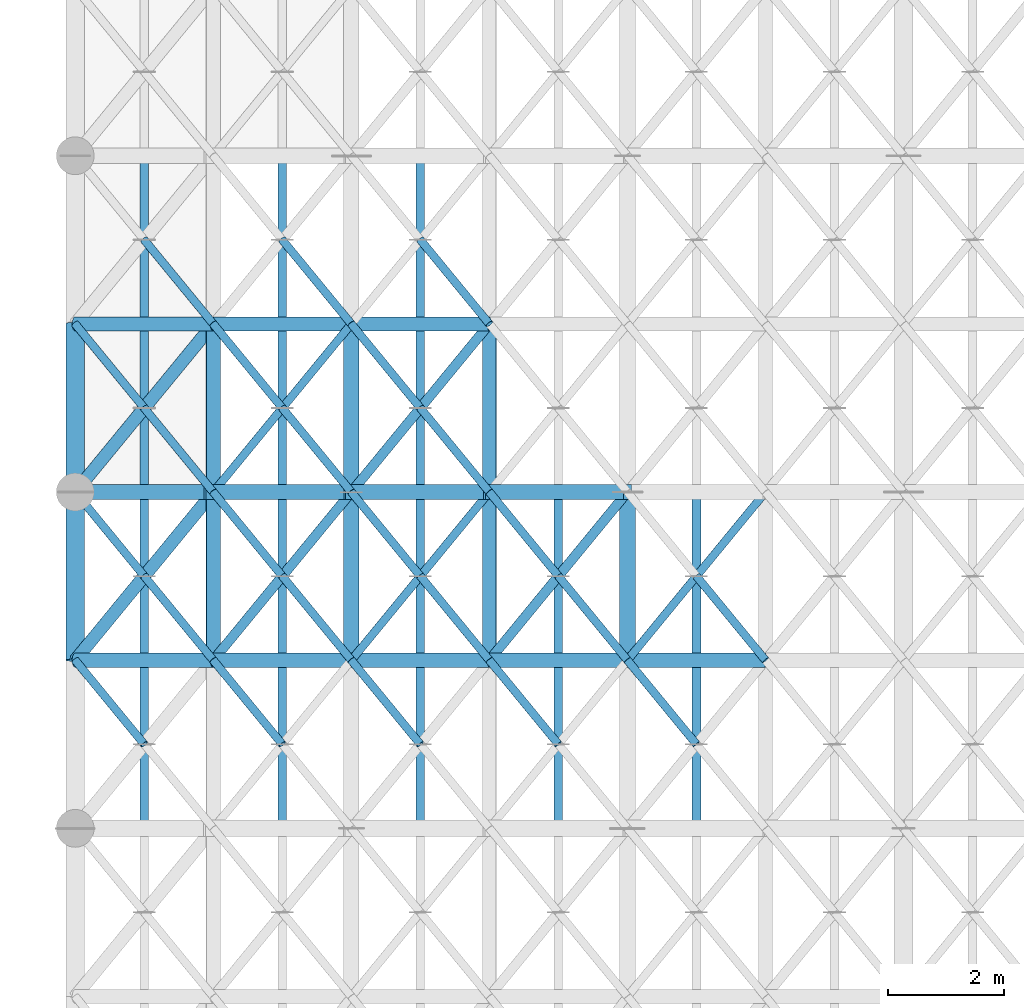
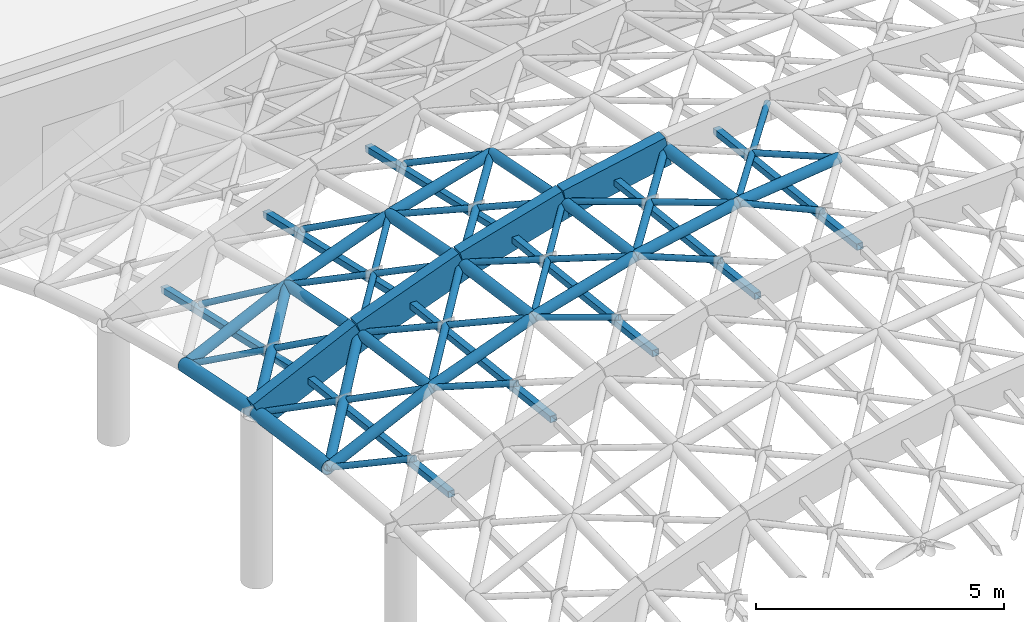
# One storey, part 68 of 146: 56 members, 4 beams.
"""IFC4 building model written with IfcOpenShell, lengths in metres."""

import ifcopenshell
import ifcopenshell.guid

model = None  # the IFC model being written
_history = None  # IfcOwnerHistory: only IFC2X3 demands one
_inside = {}  # id of a spatial element -> (the spatial element, [elements in it])
_under = {}  # id of a project, library or spatial element -> (it, [spatial elements below it])
_declared = {}  # id of a project -> (the project, [libraries it declares])
_typed = {}  # id of a type object -> (the type object, [elements of that type])
_made_of = {}  # id of a material, layer set ... -> (it, [elements and type objects made of it])


def new_model(schema):
    """Start an empty IFC model of exactly this schema.

    Asked for "IFC4X3", IfcOpenShell would pick the latest addendum, in which some entities
    have other attributes; the version numbers below select the first issue.
    IFC2X3 requires an IfcOwnerHistory on every rooted entity: one is made here for all.
    """
    global model, _history
    if schema == "IFC4X3":
        model = ifcopenshell.file(schema_version=(4, 3, 0, 0))
    else:
        model = ifcopenshell.file(schema=schema)
    _inside.clear()
    _under.clear()
    _declared.clear()
    _typed.clear()
    _made_of.clear()
    _history = None
    if model.schema == "IFC2X3":
        org = make("IfcOrganization", Name="unknown")
        user = make(
            "IfcPersonAndOrganization",
            ThePerson=make("IfcPerson", FamilyName="unknown"),
            TheOrganization=org,
        )
        app = make(
            "IfcApplication",
            ApplicationDeveloper=org,
            Version="unknown",
            ApplicationFullName="unknown",
            ApplicationIdentifier="unknown",
        )
        _history = make(
            "IfcOwnerHistory",
            OwningUser=user,
            OwningApplication=app,
            ChangeAction="ADDED",
            CreationDate=0,
        )
    return model


def make(cls, **values):
    """One entity of the class cls with the attributes given. An attribute that is None is left unset."""
    return model.create_entity(
        cls, **{name: value for name, value in values.items() if value is not None}
    )


def rooted(cls, **values):
    """An entity with a GlobalId (a new one), such as an element, a storey or a relation."""
    return make(cls, GlobalId=ifcopenshell.guid.new(), OwnerHistory=_history, **values)


def si_unit(unit_type, name, prefix=None):
    """IfcSIUnit, for example si_unit("LENGTHUNIT", "METRE", prefix="MILLI")."""
    return make("IfcSIUnit", UnitType=unit_type, Prefix=prefix, Name=name)


def assignment(units):
    """IfcUnitAssignment: the units of a project."""
    return None if units is None else make("IfcUnitAssignment", Units=units)


def point(xyz):
    """IfcCartesianPoint."""
    return None if xyz is None else make("IfcCartesianPoint", Coordinates=xyz)


def direction(xyz):
    """IfcDirection."""
    return None if xyz is None else make("IfcDirection", DirectionRatios=xyz)


def frame(location, z_axis=None, x_axis=None):
    """IfcAxis2Placement3D, a coordinate frame: its origin and axes. An axis left out is left unset."""
    return make(
        "IfcAxis2Placement3D",
        Location=point(location),
        Axis=direction(z_axis),
        RefDirection=direction(x_axis),
    )


def frame_2d(location, x_axis=None):
    """IfcAxis2Placement2D, a coordinate frame in the plane: its origin and x axis."""
    return make(
        "IfcAxis2Placement2D", Location=point(location), RefDirection=direction(x_axis)
    )


def origin():
    """The frame at (0, 0, 0) with its axes left unset."""
    return frame((0.0, 0.0, 0.0))


def origin_2d():
    """The frame at (0, 0) in the plane with its x axis left unset."""
    return frame_2d((0.0, 0.0))


def place(relative_to, where):
    """IfcLocalPlacement: puts the frame where relative to a parent placement (None: the world)."""
    return make(
        "IfcLocalPlacement", PlacementRelTo=relative_to, RelativePlacement=where
    )


def context(
    kind, dimensions, precision=None, world=None, true_north=None, identifier=None
):
    """IfcGeometricRepresentationContext, for example the 3D "Model" context."""
    return make(
        "IfcGeometricRepresentationContext",
        ContextIdentifier=identifier,
        ContextType=kind,
        CoordinateSpaceDimension=dimensions,
        Precision=precision,
        WorldCoordinateSystem=world,
        TrueNorth=true_north,
    )


def subcontext(parent, identifier, kind, view, scale=None):
    """IfcGeometricRepresentationSubContext, for example "Body" below "Model"."""
    return make(
        "IfcGeometricRepresentationSubContext",
        ContextIdentifier=identifier,
        ContextType=kind,
        ParentContext=parent,
        TargetScale=scale,
        TargetView=view,
    )


def project(units=None, contexts=None):
    """IfcProject with its units and contexts."""
    return rooted(
        "IfcProject",
        Name="project",
        RepresentationContexts=contexts,
        UnitsInContext=assignment(units),
    )


def spatial(cls, under=None, at=None, **own):
    """A site, building, storey or space (cls), placed at a placement, below another one or the project."""
    s = rooted(cls, ObjectPlacement=at, **own)
    if under is not None:
        _under.setdefault(under.id(), (under, []))[1].append(s)
    return s


def profile(cls, at=None, kind="AREA", **sizes):
    """A parametric profile (cls). Its sizes go by their IFC names, for example OverallWidth=200.0."""
    return make(cls, ProfileType=kind, Position=at, **sizes)


def rectangle(**sizes):
    """IfcRectangleProfileDef."""
    return profile("IfcRectangleProfileDef", **sizes)


def hollow_rectangle(**sizes):
    """IfcRectangleHollowProfileDef."""
    return profile("IfcRectangleHollowProfileDef", **sizes)


def hollow_circle(**sizes):
    """IfcCircleHollowProfileDef."""
    return profile("IfcCircleHollowProfileDef", **sizes)


def extrude(swept, where, along, depth):
    """IfcExtrudedAreaSolid: the profile swept, set in the frame where, extruded along a direction by depth."""
    return make(
        "IfcExtrudedAreaSolid",
        SweptArea=swept,
        Position=where,
        ExtrudedDirection=direction(along),
        Depth=depth,
    )


def shape(context_of_items, identifier, shape_type, items):
    """IfcShapeRepresentation: the items that make up one representation, for example the "Body"."""
    return make(
        "IfcShapeRepresentation",
        ContextOfItems=context_of_items,
        RepresentationIdentifier=identifier,
        RepresentationType=shape_type,
        Items=items,
    )


def material(Name=None, Category=None):
    """IfcMaterial."""
    return make("IfcMaterial", Name=Name, Category=Category)


def material_profile(
    of_material, cross_section, Name=None, Category=None, Priority=None
):
    """IfcMaterialProfile: a cross section and its material."""
    return make(
        "IfcMaterialProfile",
        Name=Name,
        Material=of_material,
        Profile=cross_section,
        Priority=Priority,
        Category=Category,
    )


def profile_set(profiles, Name=None, composite=None):
    """IfcMaterialProfileSet."""
    return make(
        "IfcMaterialProfileSet",
        Name=Name,
        MaterialProfiles=profiles,
        CompositeProfile=composite,
    )


def made_of(thing, what):
    """Note that an element or type object is made of a material, layer set ...; save() writes the relation."""
    if what is not None:
        _made_of.setdefault(what.id(), (what, []))[1].append(thing)
    return thing


def type_object(cls, material=None, **own):
    """A type object (cls), such as IfcWallType, which elements share."""
    return made_of(rooted(cls, **own), material)


def element(
    cls,
    number,
    at=None,
    inside=None,
    cuts=None,
    type_object=None,
    material=None,
    context=None,
    identifier="Body",
    shape_type=None,
    held_by="IfcProductDefinitionShape",
    body=None,
    shapes=None,
    **own,
):
    """One element of the class cls, such as IfcWall. Its Tag is "e" and its number.

    at: its placement. inside: the storey or other place that contains it. cuts: it is an
    opening in that element (IfcRelVoidsElement). A single representation is given by context,
    identifier, shape_type and body (its items); several are given by shapes. held_by: the class
    of the entity that holds the representations. save() writes the other relations.
    """
    e = rooted(cls, Tag="e%d" % number, ObjectPlacement=at, **own)
    if body is not None:
        shapes = [shape(context, identifier, shape_type, body)]
    if shapes is not None:
        e.Representation = make(held_by, Representations=shapes)
    if inside is not None:
        _inside.setdefault(inside.id(), (inside, []))[1].append(e)
    if cuts is not None:
        rooted(
            "IfcRelVoidsElement", RelatingBuildingElement=cuts, RelatedOpeningElement=e
        )
    if type_object is not None:
        _typed.setdefault(type_object.id(), (type_object, []))[1].append(e)
    return made_of(e, material)


def aggregate(whole, parts):
    """IfcRelAggregates: a whole, such as a stair, and the parts it consists of."""
    return rooted("IfcRelAggregates", RelatingObject=whole, RelatedObjects=parts)


def save(model, path):
    """Write the relations noted so far, then the file.

    IfcRelAggregates (storeys below a building ...), IfcRelContainedInSpatialStructure (elements
    in a storey), IfcRelDefinesByType, IfcRelAssociatesMaterial and IfcRelDeclares: one each for
    every whole, place, type object, material and project.
    """
    for whole, parts in _under.values():
        aggregate(whole, parts)
    for where, things in _inside.values():
        rooted(
            "IfcRelContainedInSpatialStructure",
            RelatedElements=things,
            RelatingStructure=where,
        )
    for kind, things in _typed.values():
        rooted("IfcRelDefinesByType", RelatedObjects=things, RelatingType=kind)
    for what, things in _made_of.values():
        rooted("IfcRelAssociatesMaterial", RelatedObjects=things, RelatingMaterial=what)
    for by, libraries in _declared.values():
        rooted("IfcRelDeclares", RelatingContext=by, RelatedDefinitions=libraries)
    model.write(path)


model = new_model("IFC4")

# Units and contexts
model_context = context("Model", 3, precision=1e-05, world=origin(), true_north=direction((0.0, 1.0)))
body_context = subcontext(model_context, "Body", "Model", "MODEL_VIEW")
ifc_project = project(units=[si_unit("LENGTHUNIT", "METRE"), si_unit("AREAUNIT", "SQUARE_METRE"), si_unit("VOLUMEUNIT", "CUBIC_METRE"), si_unit("PLANEANGLEUNIT", "RADIAN"), si_unit("MASSUNIT", "GRAM", prefix="KILO")], contexts=[model_context])

# Site, building, storey
site_placement = place(None, origin())
site = spatial("IfcSite", under=ifc_project, at=site_placement, CompositionType="ELEMENT")
building_placement = place(site_placement, origin())
building = spatial("IfcBuilding", under=site, at=building_placement, Name="Valcora Specialist Clinic", CompositionType="ELEMENT")
storey_placement = place(building_placement, frame((0.0, 0.0, 9.52001953125)))
storey = spatial("IfcBuildingStorey", under=building, at=storey_placement, Name="L02", CompositionType="ELEMENT", Elevation=9.52001953125)

# Beams
ifc_material_1 = material(Name="Glulam Conifer Class 24F", Category="wood")
ifc_material_profile_1 = material_profile(ifc_material_1, rectangle(XDim=0.260009765625, YDim=0.719970703125, at=origin_2d()), Name="GL-ARC-260X720")
ifc_profile_set_1 = profile_set([ifc_material_profile_1], Name="Glulam Conifer Class 24F")
beam_type = type_object("IfcBeamType", Name="TY-AR-GL720", PredefinedType="JOIST", material=ifc_profile_set_1)
beam_1_placement = place(storey_placement, frame((0.75, 67.678955078125, 4.11279296875), z_axis=(0.902225234529, 0.0, 0.431265146028), x_axis=(0.0, 1.0, 0.0)))
element("IfcBeam", 1, at=beam_1_placement, inside=storey, type_object=beam_type, Name="Gridshell glulam arch chord BM-GSA-061", PredefinedType="JOIST", context=body_context, shape_type="SweptSolid", body=[
    extrude(rectangle(XDim=0.260009765625, YDim=0.719970703125, at=origin_2d()), origin(), (0.0, 0.0, 1.0), 2.63232421875),
])
beam_2_placement = place(storey_placement, frame((3.125, 67.678955078125, 5.248046875), z_axis=(0.935663448479, 0.0, 0.352893625871), x_axis=(0.0, 1.0, 0.0)))
element("IfcBeam", 2, at=beam_2_placement, inside=storey, type_object=beam_type, Name="Gridshell glulam arch chord BM-GSA-062", PredefinedType="JOIST", context=body_context, shape_type="SweptSolid", body=[
    extrude(rectangle(XDim=0.260009765625, YDim=0.719970703125, at=origin_2d()), origin(), (0.0, 0.0, 1.0), 2.538330078125),
])
beam_3_placement = place(storey_placement, frame((5.5, 67.678955078125, 6.143798828125), z_axis=(0.961639501517, 0.0, 0.274316366849), x_axis=(0.0, 1.0, 0.0)))
element("IfcBeam", 3, at=beam_3_placement, inside=storey, type_object=beam_type, Name="Gridshell glulam arch chord BM-GSA-063", PredefinedType="JOIST", context=body_context, shape_type="SweptSolid", body=[
    extrude(rectangle(XDim=0.260009765625, YDim=0.719970703125, at=origin_2d()), origin(), (0.0, 0.0, 1.0), 2.4697265625),
])
beam_4_placement = place(storey_placement, frame((7.875, 67.678955078125, 6.8212890625), z_axis=(0.980592304853, 0.0, 0.19605798036), x_axis=(0.0, 1.0, 0.0)))
element("IfcBeam", 4, at=beam_4_placement, inside=storey, type_object=beam_type, Name="Gridshell glulam arch chord BM-GSA-064", PredefinedType="JOIST", context=body_context, shape_type="SweptSolid", body=[
    extrude(rectangle(XDim=0.260009765625, YDim=0.719970703125, at=origin_2d()), origin(), (0.0, 0.0, 1.0), 2.422119140625),
])

# Members
ifc_material_2 = material(Name="Steel ASTM A500 Grade C", Category="steel")
ifc_material_profile_2 = material_profile(ifc_material_2, hollow_circle(Radius=0.1220703125, WallThickness=0.010009765625, at=origin_2d()), Name="ST-CHS-244X10")
ifc_profile_set_2 = profile_set([ifc_material_profile_2], Name="Steel ASTM A500 Grade C")
member_type_1 = type_object("IfcMemberType", Name="TY-MB-GSC244", PredefinedType="CHORD", material=ifc_profile_set_2)
member_1_placement = place(storey_placement, frame((3.125, 64.785888671875, 5.654541015625), z_axis=(0.0, 0.990272777431, -0.139139592778), x_axis=(-1.0, 0.0, 0.0)))
element("IfcMember", 5, at=member_1_placement, inside=storey, type_object=member_type_1, Name="Gridshell longitudinal chord MB-L02-0024", PredefinedType="CHORD", context=body_context, shape_type="SweptSolid", body=[
    extrude(hollow_circle(Radius=0.1220703125, WallThickness=0.010009765625, at=origin_2d()), origin(), (0.0, 0.0, 1.0), 2.92138671875),
])
member_2_placement = place(storey_placement, frame((3.125, 67.678955078125, 5.248046875), z_axis=(0.0, 0.980837778433, -0.194826210759), x_axis=(-1.0, 0.0, 0.0)))
element("IfcMember", 6, at=member_2_placement, inside=storey, type_object=member_type_1, Name="Gridshell longitudinal chord MB-L02-0025", PredefinedType="CHORD", context=body_context, shape_type="SweptSolid", body=[
    extrude(hollow_circle(Radius=0.1220703125, WallThickness=0.010009765625, at=origin_2d()), origin(), (0.0, 0.0, 1.0), 2.948486328125),
])
member_3_placement = place(storey_placement, frame((7.875, 64.785888671875, 7.227783203125), z_axis=(0.0, 0.990272777431, -0.139139592778), x_axis=(-1.0, 0.0, 0.0)))
element("IfcMember", 7, at=member_3_placement, inside=storey, type_object=member_type_1, Name="Gridshell longitudinal chord MB-L02-0052", PredefinedType="CHORD", context=body_context, shape_type="SweptSolid", body=[
    extrude(hollow_circle(Radius=0.1220703125, WallThickness=0.010009765625, at=origin_2d()), origin(), (0.0, 0.0, 1.0), 2.92138671875),
])
member_4_placement = place(storey_placement, frame((7.875, 67.678955078125, 6.8212890625), z_axis=(0.0, 0.980853597768, -0.194746552587), x_axis=(-1.0, 0.0, 0.0)))
element("IfcMember", 8, at=member_4_placement, inside=storey, type_object=member_type_1, Name="Gridshell longitudinal chord MB-L02-0053", PredefinedType="CHORD", context=body_context, shape_type="SweptSolid", body=[
    extrude(hollow_circle(Radius=0.1220703125, WallThickness=0.010009765625, at=origin_2d()), origin(), (0.0, 0.0, 1.0), 2.948486328125),
])
member_5_placement = place(storey_placement, frame((0.75, 64.785888671875, 4.519287109375), z_axis=(0.902225234529, 0.0, 0.431265146028), x_axis=(0.0, 1.0, 0.0)))
element("IfcMember", 9, at=member_5_placement, inside=storey, type_object=member_type_1, Name="Gridshell secondary transverse chord MB-L02-0315", PredefinedType="CHORD", context=body_context, shape_type="SweptSolid", body=[
    extrude(hollow_circle(Radius=0.1220703125, WallThickness=0.010009765625, at=origin_2d()), origin(), (0.0, 0.0, 1.0), 2.63232421875),
])
member_6_placement = place(storey_placement, frame((3.125, 64.785888671875, 5.654541015625), z_axis=(0.935695204238, 0.0, 0.352809417059), x_axis=(0.0, 1.0, 0.0)))
element("IfcMember", 10, at=member_6_placement, inside=storey, type_object=member_type_1, Name="Gridshell secondary transverse chord MB-L02-0316", PredefinedType="CHORD", context=body_context, shape_type="SweptSolid", body=[
    extrude(hollow_circle(Radius=0.1220703125, WallThickness=0.010009765625, at=origin_2d()), origin(), (0.0, 0.0, 1.0), 2.538330078125),
])
member_7_placement = place(storey_placement, frame((5.5, 64.785888671875, 6.550048828125), z_axis=(0.961613421173, 0.0, 0.274407777259), x_axis=(0.0, 1.0, 0.0)))
element("IfcMember", 11, at=member_7_placement, inside=storey, type_object=member_type_1, Name="Gridshell secondary transverse chord MB-L02-0317", PredefinedType="CHORD", context=body_context, shape_type="SweptSolid", body=[
    extrude(hollow_circle(Radius=0.1220703125, WallThickness=0.010009765625, at=origin_2d()), origin(), (0.0, 0.0, 1.0), 2.4697265625),
])
member_8_placement = place(storey_placement, frame((7.875, 64.785888671875, 7.227783203125), z_axis=(0.980592304853, 0.0, 0.19605798036), x_axis=(0.0, 1.0, 0.0)))
element("IfcMember", 12, at=member_8_placement, inside=storey, type_object=member_type_1, Name="Gridshell secondary transverse chord MB-L02-0318", PredefinedType="CHORD", context=body_context, shape_type="SweptSolid", body=[
    extrude(hollow_circle(Radius=0.1220703125, WallThickness=0.010009765625, at=origin_2d()), origin(), (0.0, 0.0, 1.0), 2.422119140625),
])
member_9_placement = place(storey_placement, frame((10.25, 64.785888671875, 7.70263671875), z_axis=(0.993061123194, 0.0, 0.117599343536), x_axis=(0.0, 1.0, 0.0)))
element("IfcMember", 13, at=member_9_placement, inside=storey, type_object=member_type_1, Name="Gridshell secondary transverse chord MB-L02-0319", PredefinedType="CHORD", context=body_context, shape_type="SweptSolid", body=[
    extrude(hollow_circle(Radius=0.1220703125, WallThickness=0.010009765625, at=origin_2d()), origin(), (0.0, 0.0, 1.0), 2.3916015625),
])
member_10_placement = place(storey_placement, frame((0.75, 70.571044921875, 3.538330078125), z_axis=(0.902225234529, 0.0, 0.431265146028), x_axis=(0.0, 1.0, 0.0)))
element("IfcMember", 14, at=member_10_placement, inside=storey, type_object=member_type_1, Name="Gridshell secondary transverse chord MB-L02-0327", PredefinedType="CHORD", context=body_context, shape_type="SweptSolid", body=[
    extrude(hollow_circle(Radius=0.1220703125, WallThickness=0.010009765625, at=origin_2d()), origin(), (0.0, 0.0, 1.0), 2.63232421875),
])
member_11_placement = place(storey_placement, frame((3.125, 70.571044921875, 4.673583984375), z_axis=(0.935663448479, 0.0, 0.352893625871), x_axis=(0.0, 1.0, 0.0)))
element("IfcMember", 15, at=member_11_placement, inside=storey, type_object=member_type_1, Name="Gridshell secondary transverse chord MB-L02-0328", PredefinedType="CHORD", context=body_context, shape_type="SweptSolid", body=[
    extrude(hollow_circle(Radius=0.1220703125, WallThickness=0.010009765625, at=origin_2d()), origin(), (0.0, 0.0, 1.0), 2.538330078125),
])
member_12_placement = place(storey_placement, frame((5.5, 70.571044921875, 5.5693359375), z_axis=(0.961613421173, 0.0, 0.274407777259), x_axis=(0.0, 1.0, 0.0)))
element("IfcMember", 16, at=member_12_placement, inside=storey, type_object=member_type_1, Name="Gridshell secondary transverse chord MB-L02-0329", PredefinedType="CHORD", context=body_context, shape_type="SweptSolid", body=[
    extrude(hollow_circle(Radius=0.1220703125, WallThickness=0.010009765625, at=origin_2d()), origin(), (0.0, 0.0, 1.0), 2.4697265625),
])
ifc_material_profile_3 = material_profile(ifc_material_2, hollow_circle(Radius=0.136474609375, WallThickness=0.011962890625, at=origin_2d()), Name="ST-CHS-273X12")
ifc_profile_set_3 = profile_set([ifc_material_profile_3], Name="Steel ASTM A500 Grade C")
member_type_2 = type_object("IfcMemberType", Name="TY-MB-GSC273", PredefinedType="CHORD", material=ifc_profile_set_3)
member_13_placement = place(storey_placement, frame((5.5, 64.785888671875, 6.550048828125), z_axis=(0.0, 0.990284288594, -0.139057641875), x_axis=(-1.0, 0.0, 0.0)))
element("IfcMember", 17, at=member_13_placement, inside=storey, type_object=member_type_2, Name="Gridshell longitudinal chord MB-L02-0038", PredefinedType="CHORD", context=body_context, shape_type="SweptSolid", body=[
    extrude(hollow_circle(Radius=0.136474609375, WallThickness=0.011962890625, at=origin_2d()), origin(), (0.0, 0.0, 1.0), 2.92138671875),
])
member_14_placement = place(storey_placement, frame((5.5, 67.678955078125, 6.143798828125), z_axis=(0.0, 0.980837778433, -0.194826210759), x_axis=(-1.0, 0.0, 0.0)))
element("IfcMember", 18, at=member_14_placement, inside=storey, type_object=member_type_2, Name="Gridshell longitudinal chord MB-L02-0039", PredefinedType="CHORD", context=body_context, shape_type="SweptSolid", body=[
    extrude(hollow_circle(Radius=0.136474609375, WallThickness=0.011962890625, at=origin_2d()), origin(), (0.0, 0.0, 1.0), 2.948486328125),
])
member_15_placement = place(storey_placement, frame((10.25, 64.785888671875, 7.70263671875), z_axis=(0.0, 0.990272777431, -0.139139592778), x_axis=(-1.0, 0.0, 0.0)))
element("IfcMember", 19, at=member_15_placement, inside=storey, type_object=member_type_2, Name="Gridshell longitudinal chord MB-L02-0066", PredefinedType="CHORD", context=body_context, shape_type="SweptSolid", body=[
    extrude(hollow_circle(Radius=0.136474609375, WallThickness=0.011962890625, at=origin_2d()), origin(), (0.0, 0.0, 1.0), 2.92138671875),
])
ifc_material_profile_4 = material_profile(ifc_material_2, hollow_circle(Radius=0.162109375, WallThickness=0.011962890625, at=origin_2d()), Name="ST-CHS-324X12")
ifc_profile_set_4 = profile_set([ifc_material_profile_4], Name="Steel ASTM A500 Grade C")
member_type_3 = type_object("IfcMemberType", Name="TY-MB-GSC324", PredefinedType="CHORD", material=ifc_profile_set_4)
member_16_placement = place(storey_placement, frame((0.75, 64.785888671875, 4.519287109375), z_axis=(0.0, 0.990272777431, -0.139139592778), x_axis=(-1.0, 0.0, 0.0)))
element("IfcMember", 20, at=member_16_placement, inside=storey, type_object=member_type_3, Name="Gridshell longitudinal chord MB-L02-0010", PredefinedType="CHORD", context=body_context, shape_type="SweptSolid", body=[
    extrude(hollow_circle(Radius=0.162109375, WallThickness=0.011962890625, at=origin_2d()), origin(), (0.0, 0.0, 1.0), 2.92138671875),
])
member_17_placement = place(storey_placement, frame((0.75, 67.678955078125, 4.11279296875), z_axis=(0.0, 0.980837778433, -0.194826210759), x_axis=(-1.0, 0.0, 0.0)))
element("IfcMember", 21, at=member_17_placement, inside=storey, type_object=member_type_3, Name="Gridshell longitudinal chord MB-L02-0011", PredefinedType="CHORD", context=body_context, shape_type="SweptSolid", body=[
    extrude(hollow_circle(Radius=0.162109375, WallThickness=0.011962890625, at=origin_2d()), origin(), (0.0, 0.0, 1.0), 2.948486328125),
])
ifc_material_profile_5 = material_profile(ifc_material_2, hollow_circle(Radius=0.070068359375, WallThickness=0.006103515625, at=origin_2d()), Name="ST-CHS-140X6")
ifc_profile_set_5 = profile_set([ifc_material_profile_5], Name="Steel ASTM A500 Grade C")
member_type_4 = type_object("IfcMemberType", Name="TY-MB-GSD140", PredefinedType="BRACE", material=ifc_profile_set_5)
member_18_placement = place(storey_placement, frame((3.125, 64.785888671875, 5.654541015625), z_axis=(-0.586675579436, 0.714649014835, -0.38090490951), x_axis=(-0.772915884105, -0.634508499626, 0.0)))
element("IfcMember", 22, at=member_18_placement, inside=storey, type_object=member_type_4, Name="Gridshell split counter diagrid A MB-L02-0370", PredefinedType="BRACE", context=body_context, shape_type="SweptSolid", body=[
    extrude(hollow_circle(Radius=0.070068359375, WallThickness=0.006103515625, at=origin_2d()), origin(), (0.0, 0.0, 1.0), 2.024169921875),
])
member_19_placement = place(storey_placement, frame((3.125, 67.678955078125, 5.248046875), z_axis=(-0.57723259486, 0.702908852664, -0.415597974342), x_axis=(-0.772810813765, -0.634636467694, 0.0)))
element("IfcMember", 23, at=member_19_placement, inside=storey, type_object=member_type_4, Name="Gridshell split counter diagrid A MB-L02-0372", PredefinedType="BRACE", context=body_context, shape_type="SweptSolid", body=[
    extrude(hollow_circle(Radius=0.070068359375, WallThickness=0.006103515625, at=origin_2d()), origin(), (0.0, 0.0, 1.0), 2.05712890625),
])
member_20_placement = place(storey_placement, frame((3.125, 70.571044921875, 4.673583984375), z_axis=(-0.566806726529, 0.690446104993, -0.449460021427), x_axis=(-0.772915884105, -0.634508499626, 0.0)))
element("IfcMember", 24, at=member_20_placement, inside=storey, type_object=member_type_4, Name="Gridshell split counter diagrid A MB-L02-0374", PredefinedType="BRACE", context=body_context, shape_type="SweptSolid", body=[
    extrude(hollow_circle(Radius=0.070068359375, WallThickness=0.006103515625, at=origin_2d()), origin(), (0.0, 0.0, 1.0), 2.094970703125),
])
member_21_placement = place(storey_placement, frame((5.5, 64.785888671875, 6.550048828125), z_axis=(-0.599299901354, 0.73002712079, -0.328481401524), x_axis=(-0.772915884105, -0.634508499626, 0.0)))
element("IfcMember", 25, at=member_21_placement, inside=storey, type_object=member_type_4, Name="Gridshell split counter diagrid A MB-L02-0398", PredefinedType="BRACE", context=body_context, shape_type="SweptSolid", body=[
    extrude(hollow_circle(Radius=0.070068359375, WallThickness=0.006103515625, at=origin_2d()), origin(), (0.0, 0.0, 1.0), 1.9814453125),
])
member_22_placement = place(storey_placement, frame((3.125, 67.678955078125, 5.248046875), z_axis=(0.632310428758, 0.769978344888, 0.085538705206), x_axis=(-0.772810813765, 0.634636467694, 0.0)))
element("IfcMember", 26, at=member_22_placement, inside=storey, type_object=member_type_4, Name="Gridshell primary diagrid MB-L02-0399", PredefinedType="BRACE", context=body_context, shape_type="SweptSolid", body=[
    extrude(hollow_circle(Radius=0.070068359375, WallThickness=0.006103515625, at=origin_2d()), origin(), (0.0, 0.0, 1.0), 3.756103515625),
])
member_23_placement = place(storey_placement, frame((5.5, 67.678955078125, 6.143798828125), z_axis=(-0.590687465393, 0.719293145049, -0.365657886163), x_axis=(-0.772810813765, -0.634636467694, 0.0)))
element("IfcMember", 27, at=member_23_placement, inside=storey, type_object=member_type_4, Name="Gridshell split counter diagrid A MB-L02-0400", PredefinedType="BRACE", context=body_context, shape_type="SweptSolid", body=[
    extrude(hollow_circle(Radius=0.070068359375, WallThickness=0.006103515625, at=origin_2d()), origin(), (0.0, 0.0, 1.0), 2.01025390625),
])
member_24_placement = place(storey_placement, frame((5.5, 70.571044921875, 5.5693359375), z_axis=(-0.580941027046, 0.707663566046, -0.402144004536), x_axis=(-0.772915884105, -0.634508499626, 0.0)))
element("IfcMember", 28, at=member_24_placement, inside=storey, type_object=member_type_4, Name="Gridshell split counter diagrid A MB-L02-0402", PredefinedType="BRACE", context=body_context, shape_type="SweptSolid", body=[
    extrude(hollow_circle(Radius=0.070068359375, WallThickness=0.006103515625, at=origin_2d()), origin(), (0.0, 0.0, 1.0), 2.044189453125),
])
member_25_placement = place(storey_placement, frame((5.5, 64.785888671875, 6.550048828125), z_axis=(0.632849076957, 0.770894486219, 0.072275423982), x_axis=(-0.772915884105, 0.634508499626, 0.0)))
element("IfcMember", 29, at=member_25_placement, inside=storey, type_object=member_type_4, Name="Gridshell primary diagrid MB-L02-0425", PredefinedType="BRACE", context=body_context, shape_type="SweptSolid", body=[
    extrude(hollow_circle(Radius=0.070068359375, WallThickness=0.006103515625, at=origin_2d()), origin(), (0.0, 0.0, 1.0), 3.7529296875),
])
member_26_placement = place(storey_placement, frame((7.875, 64.785888671875, 7.227783203125), z_axis=(-0.609465809075, 0.742410550734, -0.278169016477), x_axis=(-0.772915884105, -0.634508499626, 0.0)))
element("IfcMember", 30, at=member_26_placement, inside=storey, type_object=member_type_4, Name="Gridshell split counter diagrid A MB-L02-0426", PredefinedType="BRACE", context=body_context, shape_type="SweptSolid", body=[
    extrude(hollow_circle(Radius=0.070068359375, WallThickness=0.006103515625, at=origin_2d()), origin(), (0.0, 0.0, 1.0), 1.948486328125),
])
member_27_placement = place(storey_placement, frame((7.875, 67.678955078125, 6.8212890625), z_axis=(-0.601850593551, 0.732886732237, -0.317258413212), x_axis=(-0.772810813765, -0.634636467694, 0.0)))
element("IfcMember", 31, at=member_27_placement, inside=storey, type_object=member_type_4, Name="Gridshell split counter diagrid A MB-L02-0428", PredefinedType="BRACE", context=body_context, shape_type="SweptSolid", body=[
    extrude(hollow_circle(Radius=0.070068359375, WallThickness=0.006103515625, at=origin_2d()), origin(), (0.0, 0.0, 1.0), 1.97314453125),
])
member_28_placement = place(storey_placement, frame((7.875, 70.571044921875, 6.2470703125), z_axis=(-0.592922283717, 0.722258332859, -0.356070310596), x_axis=(-0.772915884105, -0.634508499626, 0.0)))
element("IfcMember", 32, at=member_28_placement, inside=storey, type_object=member_type_4, Name="Gridshell split counter diagrid A MB-L02-0430", PredefinedType="BRACE", context=body_context, shape_type="SweptSolid", body=[
    extrude(hollow_circle(Radius=0.070068359375, WallThickness=0.006103515625, at=origin_2d()), origin(), (0.0, 0.0, 1.0), 2.002685546875),
])
member_29_placement = place(storey_placement, frame((10.25, 64.785888671875, 7.70263671875), z_axis=(-0.617618322937, 0.752341398726, -0.229194299527), x_axis=(-0.772915884105, -0.634508499626, 0.0)))
element("IfcMember", 33, at=member_29_placement, inside=storey, type_object=member_type_4, Name="Gridshell split counter diagrid A MB-L02-0454", PredefinedType="BRACE", context=body_context, shape_type="SweptSolid", body=[
    extrude(hollow_circle(Radius=0.070068359375, WallThickness=0.006103515625, at=origin_2d()), origin(), (0.0, 0.0, 1.0), 1.922607421875),
])
member_30_placement = place(storey_placement, frame((10.25, 64.785888671875, 7.70263671875), z_axis=(0.634153600073, 0.772483569167, -0.033441693754), x_axis=(-0.772915884105, 0.634508499626, 0.0)))
element("IfcMember", 34, at=member_30_placement, inside=storey, type_object=member_type_4, Name="Gridshell primary diagrid MB-L02-0481", PredefinedType="BRACE", context=body_context, shape_type="SweptSolid", body=[
    extrude(hollow_circle(Radius=0.070068359375, WallThickness=0.006103515625, at=origin_2d()), origin(), (0.0, 0.0, 1.0), 3.7451171875),
])
member_31_placement = place(storey_placement, frame((12.625, 64.785888671875, 7.98388671875), z_axis=(-0.62405456245, 0.760181595912, -0.180775674032), x_axis=(-0.772915884105, -0.634508499626, 0.0)))
element("IfcMember", 35, at=member_31_placement, inside=storey, type_object=member_type_4, Name="Gridshell split counter diagrid A MB-L02-0482", PredefinedType="BRACE", context=body_context, shape_type="SweptSolid", body=[
    extrude(hollow_circle(Radius=0.070068359375, WallThickness=0.006103515625, at=origin_2d()), origin(), (0.0, 0.0, 1.0), 1.90283203125),
])
member_32_placement = place(storey_placement, frame((1.9375, 63.339599609375, 5.2080078125), z_axis=(-0.595520995032, 0.725301475035, -0.345387484989), x_axis=(-0.772863356881, -0.634572479384, 0.0)))
element("IfcMember", 36, at=member_32_placement, inside=storey, type_object=member_type_4, Name="Gridshell split counter diagrid B 9", PredefinedType="BRACE", context=body_context, shape_type="SweptSolid", body=[
    extrude(hollow_circle(Radius=0.070068359375, WallThickness=0.006103515625, at=origin_2d()), origin(), (0.0, 0.0, 1.0), 1.994140625),
])
member_33_placement = place(storey_placement, frame((1.9375, 66.232421875, 4.883544921875), z_axis=(-0.586702530765, 0.714681845144, -0.380801786518), x_axis=(-0.772915884105, -0.634508499626, 0.0)))
element("IfcMember", 37, at=member_33_placement, inside=storey, type_object=member_type_4, Name="Gridshell split counter diagrid B 10", PredefinedType="BRACE", context=body_context, shape_type="SweptSolid", body=[
    extrude(hollow_circle(Radius=0.070068359375, WallThickness=0.006103515625, at=origin_2d()), origin(), (0.0, 0.0, 1.0), 2.02392578125),
])
member_34_placement = place(storey_placement, frame((1.9375, 69.125, 4.39306640625), z_axis=(-0.577261062513, 0.702943518353, -0.415499790267), x_axis=(-0.772810813765, -0.634636467694, 0.0)))
element("IfcMember", 38, at=member_34_placement, inside=storey, type_object=member_type_4, Name="Gridshell split counter diagrid B 11", PredefinedType="BRACE", context=body_context, shape_type="SweptSolid", body=[
    extrude(hollow_circle(Radius=0.070068359375, WallThickness=0.006103515625, at=origin_2d()), origin(), (0.0, 0.0, 1.0), 2.05712890625),
])
member_35_placement = place(storey_placement, frame((4.3125, 63.339599609375, 6.223388671875), z_axis=(-0.607141255778, 0.739454111684, -0.290838636095), x_axis=(-0.772863356881, -0.634572479384, 0.0)))
element("IfcMember", 39, at=member_35_placement, inside=storey, type_object=member_type_4, Name="Gridshell split counter diagrid B 23", PredefinedType="BRACE", context=body_context, shape_type="SweptSolid", body=[
    extrude(hollow_circle(Radius=0.070068359375, WallThickness=0.006103515625, at=origin_2d()), origin(), (0.0, 0.0, 1.0), 1.955810546875),
])
member_36_placement = place(storey_placement, frame((4.3125, 66.232421875, 5.899169921875), z_axis=(-0.599275643035, 0.729997570926, -0.328591311673), x_axis=(-0.772915884105, -0.634508499626, 0.0)))
element("IfcMember", 40, at=member_36_placement, inside=storey, type_object=member_type_4, Name="Gridshell split counter diagrid B 24", PredefinedType="BRACE", context=body_context, shape_type="SweptSolid", body=[
    extrude(hollow_circle(Radius=0.070068359375, WallThickness=0.006103515625, at=origin_2d()), origin(), (0.0, 0.0, 1.0), 1.9814453125),
])
member_37_placement = place(storey_placement, frame((4.3125, 69.125, 5.40869140625), z_axis=(-0.590687465393, 0.719293145049, -0.365657886163), x_axis=(-0.772810813765, -0.634636467694, 0.0)))
element("IfcMember", 41, at=member_37_placement, inside=storey, type_object=member_type_4, Name="Gridshell split counter diagrid B 25", PredefinedType="BRACE", context=body_context, shape_type="SweptSolid", body=[
    extrude(hollow_circle(Radius=0.070068359375, WallThickness=0.006103515625, at=origin_2d()), origin(), (0.0, 0.0, 1.0), 2.01025390625),
])
member_38_placement = place(storey_placement, frame((6.6875, 63.339599609375, 7.01025390625), z_axis=(-0.61621232989, 0.750502023492, -0.23880761551), x_axis=(-0.772863356881, -0.634572479384, 0.0)))
element("IfcMember", 42, at=member_38_placement, inside=storey, type_object=member_type_4, Name="Gridshell split counter diagrid B 37", PredefinedType="BRACE", context=body_context, shape_type="SweptSolid", body=[
    extrude(hollow_circle(Radius=0.070068359375, WallThickness=0.006103515625, at=origin_2d()), origin(), (0.0, 0.0, 1.0), 1.927001953125),
])
member_39_placement = place(storey_placement, frame((6.6875, 66.232421875, 6.685791015625), z_axis=(-0.609465809075, 0.742410550734, -0.278169016477), x_axis=(-0.772915884105, -0.634508499626, 0.0)))
element("IfcMember", 43, at=member_39_placement, inside=storey, type_object=member_type_4, Name="Gridshell split counter diagrid B 38", PredefinedType="BRACE", context=body_context, shape_type="SweptSolid", body=[
    extrude(hollow_circle(Radius=0.070068359375, WallThickness=0.006103515625, at=origin_2d()), origin(), (0.0, 0.0, 1.0), 1.948486328125),
])
member_40_placement = place(storey_placement, frame((6.6875, 69.125, 6.1953125), z_axis=(-0.601850593551, 0.732886732237, -0.317258413212), x_axis=(-0.772810813765, -0.634636467694, 0.0)))
element("IfcMember", 44, at=member_40_placement, inside=storey, type_object=member_type_4, Name="Gridshell split counter diagrid B 39", PredefinedType="BRACE", context=body_context, shape_type="SweptSolid", body=[
    extrude(hollow_circle(Radius=0.070068359375, WallThickness=0.006103515625, at=origin_2d()), origin(), (0.0, 0.0, 1.0), 1.97314453125),
])
member_41_placement = place(storey_placement, frame((9.0625, 63.339599609375, 7.58642578125), z_axis=(-0.623230122484, 0.759049187005, -0.188224722436), x_axis=(-0.772863356881, -0.634572479384, 0.0)))
element("IfcMember", 45, at=member_41_placement, inside=storey, type_object=member_type_4, Name="Gridshell split counter diagrid B 51", PredefinedType="BRACE", context=body_context, shape_type="SweptSolid", body=[
    extrude(hollow_circle(Radius=0.070068359375, WallThickness=0.006103515625, at=origin_2d()), origin(), (0.0, 0.0, 1.0), 1.905517578125),
])
member_42_placement = place(storey_placement, frame((9.0625, 66.232421875, 7.261962890625), z_axis=(-0.617618322937, 0.752341398726, -0.229194299527), x_axis=(-0.772915884105, -0.634508499626, 0.0)))
element("IfcMember", 46, at=member_42_placement, inside=storey, type_object=member_type_4, Name="Gridshell split counter diagrid B 52", PredefinedType="BRACE", context=body_context, shape_type="SweptSolid", body=[
    extrude(hollow_circle(Radius=0.070068359375, WallThickness=0.006103515625, at=origin_2d()), origin(), (0.0, 0.0, 1.0), 1.922607421875),
])
member_43_placement = place(storey_placement, frame((11.4375, 63.339599609375, 7.964599609375), z_axis=(-0.628444748183, 0.765400223733, -0.138635118174), x_axis=(-0.772863356881, -0.634572479384, 0.0)))
element("IfcMember", 47, at=member_43_placement, inside=storey, type_object=member_type_4, Name="Gridshell split counter diagrid B 65", PredefinedType="BRACE", context=body_context, shape_type="SweptSolid", body=[
    extrude(hollow_circle(Radius=0.070068359375, WallThickness=0.006103515625, at=origin_2d()), origin(), (0.0, 0.0, 1.0), 1.8896484375),
])
ifc_material_profile_6 = material_profile(ifc_material_2, hollow_circle(Radius=0.083984375, WallThickness=0.008056640625, at=origin_2d()), Name="ST-CHS-168X8")
ifc_profile_set_6 = profile_set([ifc_material_profile_6], Name="Steel ASTM A500 Grade C")
member_type_5 = type_object("IfcMemberType", Name="TY-MB-GSD168", PredefinedType="BRACE", material=ifc_profile_set_6)
member_44_placement = place(storey_placement, frame((3.125, 64.785888671875, 5.654541015625), z_axis=(0.629156590735, 0.766396546074, 0.129608327285), x_axis=(-0.772915884105, 0.634508499626, 0.0)))
element("IfcMember", 48, at=member_44_placement, inside=storey, type_object=member_type_5, Name="Gridshell primary diagrid MB-L02-0397", PredefinedType="BRACE", context=body_context, shape_type="SweptSolid", body=[
    extrude(hollow_circle(Radius=0.083984375, WallThickness=0.008056640625, at=origin_2d()), origin(), (0.0, 0.0, 1.0), 3.77490234375),
])
for number, where, z_axis, x_axis, name in (
    (49, (5.5, 67.678955078125, 6.143798828125), (0.634394960135, 0.772516724687, 0.027585224932), (-0.772810813765, 0.634636467694, 0.0), "Gridshell primary diagrid MB-L02-0427"),
    (50, (7.875, 64.785888671875, 7.227783203125), (0.634402710105, 0.772787018374, 0.018259946426), (-0.772915884105, 0.634508499626, 0.0), "Gridshell primary diagrid MB-L02-0453"),
):
    element("IfcMember", number, at=place(storey_placement, frame(where, z_axis=z_axis, x_axis=x_axis)), inside=storey, type_object=member_type_5, Name=name, PredefinedType="BRACE", context=body_context, shape_type="SweptSolid", body=[
        extrude(hollow_circle(Radius=0.083984375, WallThickness=0.008056640625, at=origin_2d()), origin(), (0.0, 0.0, 1.0), 3.74365234375),
    ])
ifc_material_profile_7 = material_profile(ifc_material_2, hollow_circle(Radius=0.109619140625, WallThickness=0.010009765625, at=origin_2d()), Name="ST-CHS-219X10")
ifc_profile_set_7 = profile_set([ifc_material_profile_7], Name="Steel ASTM A500 Grade C")
member_type_6 = type_object("IfcMemberType", Name="TY-MB-GSD219", PredefinedType="BRACE", material=ifc_profile_set_7)
member_45_placement = place(storey_placement, frame((0.75, 64.785888671875, 4.519287109375), z_axis=(0.622813873346, 0.758670271294, 0.191108080997), x_axis=(-0.772915884105, 0.634508499626, 0.0)))
element("IfcMember", 51, at=member_45_placement, inside=storey, type_object=member_type_6, Name="Gridshell primary diagrid MB-L02-0369", PredefinedType="BRACE", context=body_context, shape_type="SweptSolid", body=[
    extrude(hollow_circle(Radius=0.109619140625, WallThickness=0.010009765625, at=origin_2d()), origin(), (0.0, 0.0, 1.0), 3.813232421875),
])
member_46_placement = place(storey_placement, frame((0.75, 67.678955078125, 4.11279296875), z_axis=(0.627628696679, 0.764277296552, 0.148197277577), x_axis=(-0.772810813765, 0.634636467694, 0.0)))
element("IfcMember", 52, at=member_46_placement, inside=storey, type_object=member_type_6, Name="Gridshell primary diagrid MB-L02-0371", PredefinedType="BRACE", context=body_context, shape_type="SweptSolid", body=[
    extrude(hollow_circle(Radius=0.109619140625, WallThickness=0.010009765625, at=origin_2d()), origin(), (0.0, 0.0, 1.0), 3.7841796875),
])
ifc_material_profile_8 = material_profile(ifc_material_2, hollow_rectangle(XDim=0.14990234375, YDim=0.14990234375, WallThickness=0.006103515625, at=origin_2d()), Name="ST-RHS-150X150X6")
ifc_profile_set_8 = profile_set([ifc_material_profile_8], Name="Steel ASTM A500 Grade C")
member_type_7 = type_object("IfcMemberType", Name="TY-MB-PR150", PredefinedType="PURLIN", material=ifc_profile_set_8)
member_47_placement = place(storey_placement, frame((1.93798828125, 61.89306640625, 5.209228515625), z_axis=(0.0, 0.993769167561, -0.111457801906), x_axis=(-1.0, 0.0, 0.0)))
element("IfcMember", 53, at=member_47_placement, inside=storey, type_object=member_type_7, Name="Gridshell secondary purlin MB-L02-0187", PredefinedType="PURLIN", context=body_context, shape_type="SweptSolid", body=[
    extrude(hollow_rectangle(XDim=0.14990234375, YDim=0.14990234375, WallThickness=0.006103515625, at=origin_2d()), origin(), (0.0, 0.0, 1.0), 5.822265625),
])
member_48_placement = place(storey_placement, frame((1.93798828125, 67.678955078125, 4.560302734375), z_axis=(0.0, 0.974842673844, -0.22289405836), x_axis=(-1.0, 0.0, 0.0)))
element("IfcMember", 54, at=member_48_placement, inside=storey, type_object=member_type_7, Name="Gridshell secondary purlin MB-L02-0188", PredefinedType="PURLIN", context=body_context, shape_type="SweptSolid", body=[
    extrude(hollow_rectangle(XDim=0.14990234375, YDim=0.14990234375, WallThickness=0.006103515625, at=origin_2d()), origin(), (0.0, 0.0, 1.0), 5.9345703125),
])
member_49_placement = place(storey_placement, frame((4.31201171875, 61.89306640625, 6.224609375), z_axis=(0.0, 0.993773811353, -0.111416389585), x_axis=(-1.0, 0.0, 0.0)))
element("IfcMember", 55, at=member_49_placement, inside=storey, type_object=member_type_7, Name="Gridshell secondary purlin MB-L02-0194", PredefinedType="PURLIN", context=body_context, shape_type="SweptSolid", body=[
    extrude(hollow_rectangle(XDim=0.14990234375, YDim=0.14990234375, WallThickness=0.006103515625, at=origin_2d()), origin(), (0.0, 0.0, 1.0), 5.822021484375),
])
member_50_placement = place(storey_placement, frame((4.31201171875, 67.678955078125, 5.575927734375), z_axis=(0.0, 0.974842673844, -0.22289405836), x_axis=(-1.0, 0.0, 0.0)))
element("IfcMember", 56, at=member_50_placement, inside=storey, type_object=member_type_7, Name="Gridshell secondary purlin MB-L02-0195", PredefinedType="PURLIN", context=body_context, shape_type="SweptSolid", body=[
    extrude(hollow_rectangle(XDim=0.14990234375, YDim=0.14990234375, WallThickness=0.006103515625, at=origin_2d()), origin(), (0.0, 0.0, 1.0), 5.9345703125),
])
member_51_placement = place(storey_placement, frame((6.68798828125, 61.89306640625, 7.011474609375), z_axis=(0.0, 0.993769167561, -0.111457801906), x_axis=(-1.0, 0.0, 0.0)))
element("IfcMember", 57, at=member_51_placement, inside=storey, type_object=member_type_7, Name="Gridshell secondary purlin MB-L02-0201", PredefinedType="PURLIN", context=body_context, shape_type="SweptSolid", body=[
    extrude(hollow_rectangle(XDim=0.14990234375, YDim=0.14990234375, WallThickness=0.006103515625, at=origin_2d()), origin(), (0.0, 0.0, 1.0), 5.822265625),
])
member_52_placement = place(storey_placement, frame((6.68798828125, 67.678955078125, 6.362548828125), z_axis=(0.0, 0.974842673844, -0.22289405836), x_axis=(-1.0, 0.0, 0.0)))
element("IfcMember", 58, at=member_52_placement, inside=storey, type_object=member_type_7, Name="Gridshell secondary purlin MB-L02-0202", PredefinedType="PURLIN", context=body_context, shape_type="SweptSolid", body=[
    extrude(hollow_rectangle(XDim=0.14990234375, YDim=0.14990234375, WallThickness=0.006103515625, at=origin_2d()), origin(), (0.0, 0.0, 1.0), 5.9345703125),
])
member_53_placement = place(storey_placement, frame((9.06201171875, 61.89306640625, 7.587646484375), z_axis=(0.0, 0.993769167561, -0.111457801906), x_axis=(-1.0, 0.0, 0.0)))
element("IfcMember", 59, at=member_53_placement, inside=storey, type_object=member_type_7, Name="Gridshell secondary purlin MB-L02-0208", PredefinedType="PURLIN", context=body_context, shape_type="SweptSolid", body=[
    extrude(hollow_rectangle(XDim=0.14990234375, YDim=0.14990234375, WallThickness=0.006103515625, at=origin_2d()), origin(), (0.0, 0.0, 1.0), 5.822265625),
])
member_54_placement = place(storey_placement, frame((11.43798828125, 61.89306640625, 7.965576171875), z_axis=(0.0, 0.993773811353, -0.111416389585), x_axis=(-1.0, 0.0, 0.0)))
element("IfcMember", 60, at=member_54_placement, inside=storey, type_object=member_type_7, Name="Gridshell secondary purlin MB-L02-0215", PredefinedType="PURLIN", context=body_context, shape_type="SweptSolid", body=[
    extrude(hollow_rectangle(XDim=0.14990234375, YDim=0.14990234375, WallThickness=0.006103515625, at=origin_2d()), origin(), (0.0, 0.0, 1.0), 5.822021484375),
])

save(model, "model.ifc")
